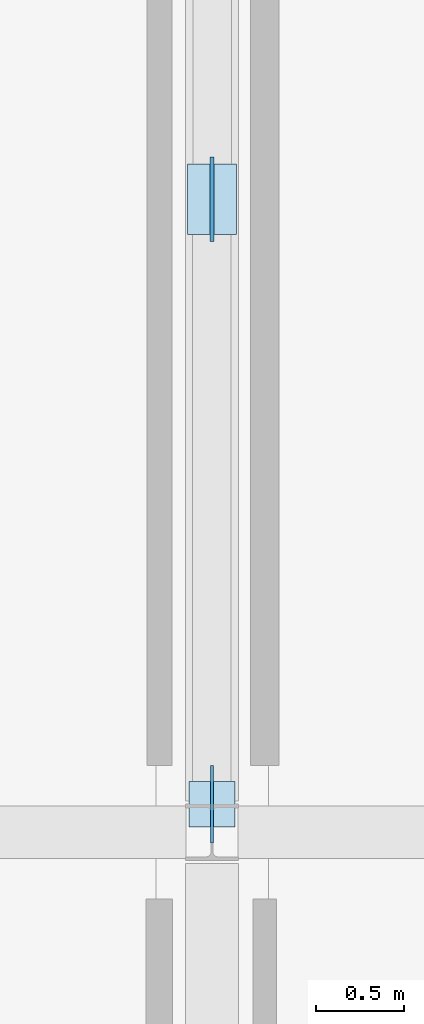
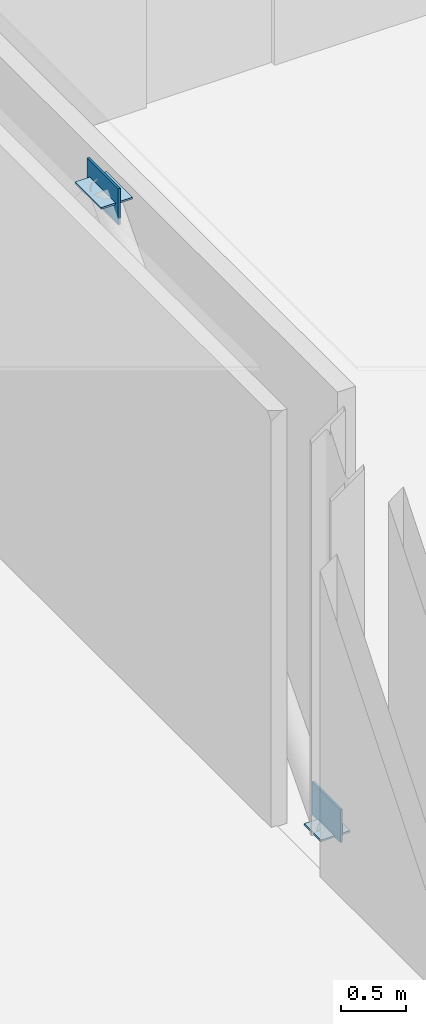
# One storey, part 43 of 72: 4 plates.
"""IFC4 building model written with IfcOpenShell, lengths in metres."""

from ifc_helpers import new_model, si_unit, direction, frame, origin, origin_2d, place, context, subcontext, project, spatial, rectangle, extrude, material, layer, layer_set, type_object, element, save


model = new_model("IFC4")

# Units and contexts
model_context = context("Model", 3, precision=1e-05, world=origin(), true_north=direction((0.0, 1.0)))
body_context = subcontext(model_context, "Body", "Model", "MODEL_VIEW")
ifc_project = project(units=[si_unit("LENGTHUNIT", "METRE"), si_unit("AREAUNIT", "SQUARE_METRE"), si_unit("VOLUMEUNIT", "CUBIC_METRE"), si_unit("PLANEANGLEUNIT", "RADIAN"), si_unit("MASSUNIT", "GRAM", prefix="KILO")], contexts=[model_context])

# Site, building, storey
site_placement = place(None, origin())
site = spatial("IfcSite", under=ifc_project, at=site_placement, CompositionType="ELEMENT")
building_placement = place(site_placement, origin())
building = spatial("IfcBuilding", under=site, at=building_placement, Name="Zarrinpeak Specialist Clinic", CompositionType="ELEMENT")
storey_placement = place(building_placement, frame((0.0, 0.0, 9.60009765625)))
storey = spatial("IfcBuildingStorey", under=building, at=storey_placement, Name="L02", CompositionType="ELEMENT", Elevation=9.60009765625)

# Plates
ifc_material = material(Name="Steel S355", Category="steel")
ifc_layer_1 = layer(ifc_material, 0.01611328125)
ifc_layer_set_1 = layer_set([ifc_layer_1], Name="Steel S355")
plate_type_1 = type_object("IfcPlateType", Name="PL-CAP219", PredefinedType="SHEET", material=ifc_layer_set_1)
plate_1_placement = place(storey_placement, frame((14.39990234375, 57.760009765625, 0.000732421875), z_axis=(0.0, 0.0, 1.0), x_axis=(1.0, 0.0, 0.0)))
element("IfcPlate", 1, at=plate_1_placement, inside=storey, type_object=plate_type_1, Name="V5 L02 Hollow Brace Foot Cap Plate A", PredefinedType="SHEET", context=body_context, shape_type="SweptSolid", body=[
    extrude(rectangle(XDim=0.260009765625, YDim=0.260009765625, at=origin_2d()), origin(), (0.0, 0.0, 1.0), 0.01611328125),
])
ifc_layer_2 = layer(ifc_material, 0.02001953125)
ifc_layer_set_2 = layer_set([ifc_layer_2], Name="Steel S355")
plate_type_2 = type_object("IfcPlateType", Name="PL-GN01", PredefinedType="SHEET", material=ifc_layer_set_2)
plate_2_placement = place(storey_placement, frame((14.39990234375, 61.199951171875, 3.73974609375), z_axis=(0.0, 0.0, 1.0), x_axis=(1.0, 0.0, 0.0)))
element("IfcPlate", 2, at=plate_2_placement, inside=storey, type_object=plate_type_2, Name="V5 L02 Chevron Gusset Node Plate GN-V5-L02", PredefinedType="SHEET", context=body_context, shape_type="SweptSolid", body=[
    extrude(rectangle(XDim=0.02001953125, YDim=0.47998046875, at=origin_2d()), origin(), (0.0, 0.0, 1.0), 0.340087890625),
])
ifc_layer_3 = layer(ifc_material, 0.01611328125)
ifc_layer_set_3 = layer_set([ifc_layer_3], Name="Steel S355")
plate_type_3 = type_object("IfcPlateType", Name="PL-GN02", PredefinedType="SHEET", material=ifc_layer_set_3)
plate_3_placement = place(storey_placement, frame((14.39990234375, 61.199951171875, 3.907958984375), z_axis=(0.0, 0.0, 1.0), x_axis=(1.0, 0.0, 0.0)))
element("IfcPlate", 3, at=plate_3_placement, inside=storey, type_object=plate_type_3, Name="V5 L02 Chevron Apex Seal Plate GNCAP-V5-L02", PredefinedType="SHEET", context=body_context, shape_type="SweptSolid", body=[
    extrude(rectangle(XDim=0.280029296875, YDim=0.39990234375, at=origin_2d()), origin(), (0.0, 0.0, 1.0), 0.01611328125),
])
ifc_layer_4 = layer(ifc_material, 0.01806640625)
ifc_layer_set_4 = layer_set([ifc_layer_4], Name="Steel S355")
plate_type_4 = type_object("IfcPlateType", Name="PL-GN03", PredefinedType="SHEET", material=ifc_layer_set_4)
plate_4_placement = place(storey_placement, frame((14.39990234375, 57.760009765625, 0.0048828125), z_axis=(0.0, 0.0, 1.0), x_axis=(1.0, 0.0, 0.0)))
element("IfcPlate", 4, at=plate_4_placement, inside=storey, type_object=plate_type_4, Name="V5 L02 Brace Foot Gusset Plate GNF-V5-L02-A", PredefinedType="SHEET", context=body_context, shape_type="SweptSolid", body=[
    extrude(rectangle(XDim=0.01806640625, YDim=0.43994140625, at=origin_2d()), origin(), (0.0, 0.0, 1.0), 0.31005859375),
])

save(model, "model.ifc")
